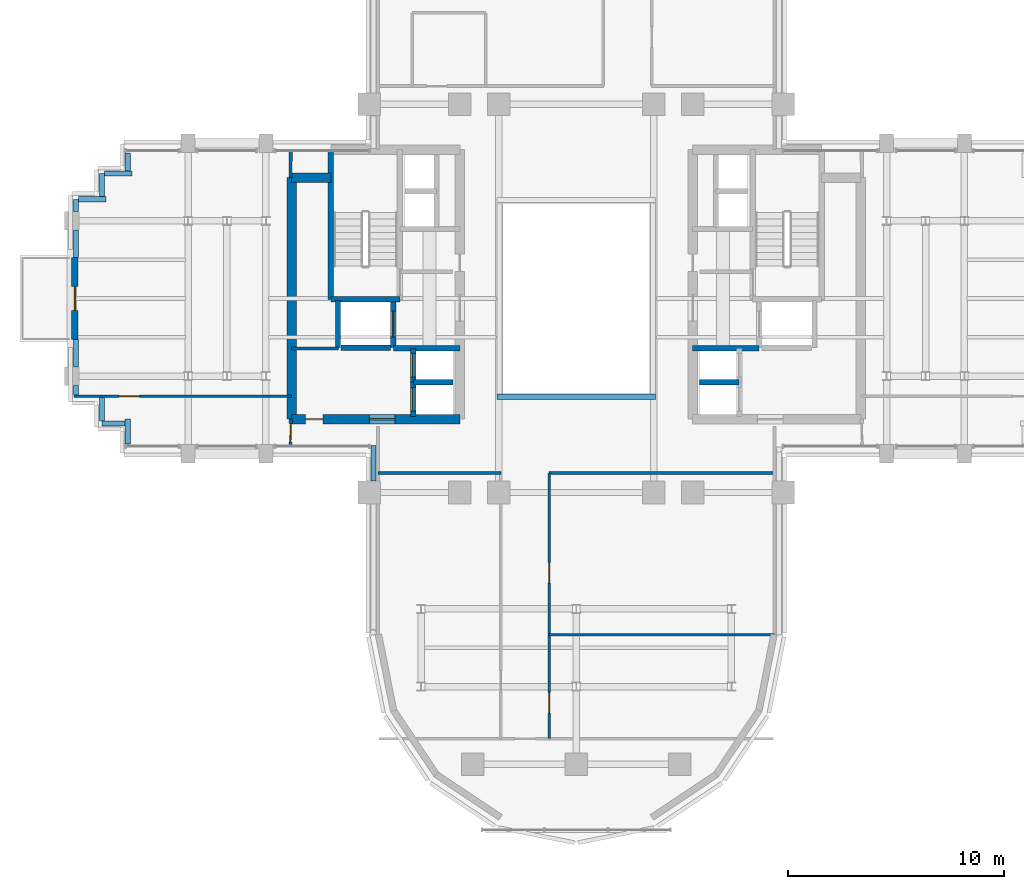
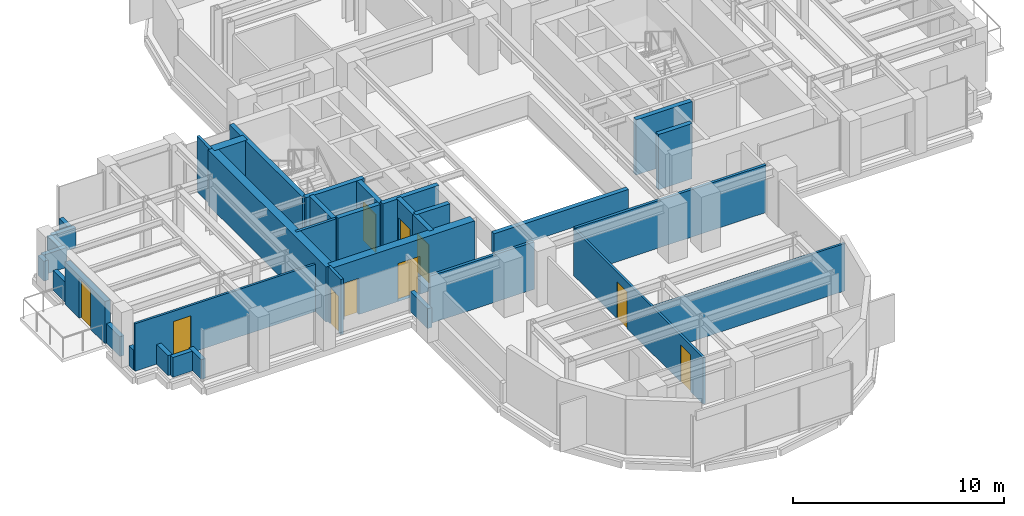
# One storey, part 8 of 13: 36 walls, 10 doors, 10 openings.
"""IFC4 building model written with IfcOpenShell, lengths in metres."""

from ifc_helpers import new_model, si_unit, direction, frame, frame_2d, origin, place, context, subcontext, project, spatial, rectangle, extrude, source, transform, mapped, material, layer, layer_set, type_object, element, fill, save


model = new_model("IFC4")

# Units and contexts
model_context = context("Model", 3, precision=1e-05, world=origin(), true_north=direction((0.0, 1.0)))
body_context = subcontext(model_context, "Body", "Model", "MODEL_VIEW")
ifc_project = project(units=[si_unit("LENGTHUNIT", "METRE"), si_unit("AREAUNIT", "SQUARE_METRE"), si_unit("VOLUMEUNIT", "CUBIC_METRE"), si_unit("PLANEANGLEUNIT", "RADIAN"), si_unit("MASSUNIT", "GRAM", prefix="KILO")], contexts=[model_context])

# Site, building, storey
site_placement = place(None, origin())
site = spatial("IfcSite", under=ifc_project, at=site_placement, CompositionType="ELEMENT")
building_placement = place(site_placement, origin())
building = spatial("IfcBuilding", under=site, at=building_placement, Name="Keilestroom Media Tower", CompositionType="ELEMENT")
storey_placement = place(building_placement, frame((0.0, 0.0, 100.60009765625)))
storey = spatial("IfcBuildingStorey", under=building, at=storey_placement, Name="L26", CompositionType="ELEMENT", Elevation=100.60009765625)

# Wall, opening, door
ifc_material_1 = material(Name="Precast concrete C40/50", Category="concrete")
ifc_layer_1 = layer(ifc_material_1, 0.300048828125)
ifc_layer_set_1 = layer_set([ifc_layer_1], Name="Precast concrete C40/50")
wall_type_1 = type_object("IfcWallType", Name="Exterior-Masonry-Spandrel-Wall-300", PredefinedType="SOLIDWALL", material=ifc_layer_set_1)
wall_1_placement = place(storey_placement, frame((-23.25, -1.89990234375, 0.0), z_axis=(0.0, 0.0, 1.0), x_axis=(0.0, 1.0, 0.0)))
wall_1 = element("IfcWall", 1, at=wall_1_placement, inside=storey, type_object=wall_type_1, Name="L26 Terrace Threshold Wall L26-W", PredefinedType="SOLIDWALL", context=body_context, shape_type="SweptSolid", body=[
    extrude(rectangle(XDim=3.7998046875, YDim=0.300048828125, at=frame_2d((1.89990234375, 0.0))), origin(), (0.0, 0.0, 1.0), 2.449951171875),
])
opening_1_placement = place(wall_1_placement, frame((1.35009765625, 0.0, 0.0)))
opening_1 = element("IfcOpeningElement", 2, at=opening_1_placement, cuts=wall_1, Name="Opening DE-02", PredefinedType="OPENING", context=body_context, shape_type="SweptSolid", body=[
    extrude(rectangle(XDim=1.10009765625, YDim=2.300048828125, at=frame_2d((0.550048828125, 1.14990234375))), frame((0.0, 0.16015625, 0.0), z_axis=(0.0, -1.0, 0.0), x_axis=(1.0, 0.0, 0.0)), (0.0, 0.0, 1.0), 0.320068359375),
])
ifc_material_2 = material(Name="Thermally Broken Aluminium & Laminated Glass", Category="aluminium")
door_type_1 = type_object("IfcDoorType", Name="Exterior-Entrance-And-Terrace-Door-DE-02", OperationType="NOTDEFINED", PredefinedType="DOOR", material=ifc_material_2)
shared_shape_1 = source(origin(), body_context, "Body", "SweptSolid", [
    extrude(rectangle(XDim=1.10009765625, YDim=2.300048828125, at=frame_2d((0.550048828125, 1.14990234375))), frame((0.0, 0.02490234375, 0.0), z_axis=(0.0, -1.0, 0.0), x_axis=(1.0, 0.0, 0.0)), (0.0, 0.0, 1.0), 0.050048828125),
])
door_1_placement = place(opening_1_placement, origin())
door_1 = element("IfcDoor", 3, at=door_1_placement, inside=storey, type_object=door_type_1, Name="L26 Terrace Access Door DE-02 L26-W", OperationType="SINGLE_SWING_LEFT", OverallHeight=2.300048828125, OverallWidth=1.10009765625, PredefinedType="DOOR", context=body_context, shape_type="MappedRepresentation", body=[
    mapped(shared_shape_1, transform((0.0, 0.0, 0.0), x_axis=(1.0, 0.0, 0.0), y_axis=(0.0, 1.0, 0.0), z_axis=(0.0, 0.0, 1.0), scale=1.0)),
])
fill(opening_1, door_1)

# Wall, openings, doors
ifc_material_3 = material(Name="Gypsum Plasterboard & Steel Stud", Category="steel")
ifc_layer_2 = layer(ifc_material_3, 0.1201171875)
ifc_layer_set_2 = layer_set([ifc_layer_2], Name="Gypsum Plasterboard & Steel Stud")
wall_type_2 = type_object("IfcWallType", Name="Interior-Partition-Wall-120", PredefinedType="PARTITIONING", material=ifc_layer_set_2)
wall_2_placement = place(storey_placement, frame((-1.260009765625, -20.419921875, 0.0), z_axis=(0.0, 0.0, 1.0), x_axis=(0.0, 1.0, 0.0)))
wall_2 = element("IfcWall", 4, at=wall_2_placement, inside=storey, type_object=wall_type_2, Name="L26 Interior Wall WP-L26-SL-SPE", PredefinedType="PARTITIONING", context=body_context, shape_type="SweptSolid", body=[
    extrude(rectangle(XDim=12.31982421875, YDim=0.1201171875, at=frame_2d((6.159912109375, 0.0))), origin(), (0.0, 0.0, 1.0), 2.699951171875),
])
opening_2_placement = place(wall_2_placement, frame((7.219970703125, 0.0, 0.0)))
opening_2 = element("IfcOpeningElement", 5, at=opening_2_placement, cuts=wall_2, Name="Opening DI-03", PredefinedType="OPENING", context=body_context, shape_type="SweptSolid", body=[
    extrude(rectangle(XDim=0.949951171875, YDim=2.14990234375, at=frame_2d((0.47509765625, 1.074951171875))), frame((0.0, 0.070068359375, 0.0), z_axis=(0.0, -1.0, 0.0), x_axis=(1.0, 0.0, 0.0)), (0.0, 0.0, 1.0), 0.14013671875),
])
opening_3_placement = place(wall_2_placement, frame((1.199951171875, 0.0, 0.0)))
opening_3 = element("IfcOpeningElement", 6, at=opening_3_placement, cuts=wall_2, Name="Opening DI-03", PredefinedType="OPENING", context=body_context, shape_type="SweptSolid", body=[
    extrude(rectangle(XDim=0.949951171875, YDim=2.14990234375, at=frame_2d((0.47509765625, 1.074951171875))), frame((0.0, 0.070068359375, 0.0), z_axis=(0.0, -1.0, 0.0), x_axis=(1.0, 0.0, 0.0)), (0.0, 0.0, 1.0), 0.14013671875),
])
ifc_material_4 = material(Name="Lacquered European Oak Leaf", Category="wood")
door_type_2 = type_object("IfcDoorType", Name="Interior-Room-And-Suite-Door-DI-03", OperationType="NOTDEFINED", PredefinedType="DOOR", material=ifc_material_4)
shared_shape_2 = source(origin(), body_context, "Body", "SweptSolid", [
    extrude(rectangle(XDim=0.949951171875, YDim=2.14990234375, at=frame_2d((0.47509765625, 1.074951171875))), frame((0.0, 0.02490234375, 0.0), z_axis=(0.0, -1.0, 0.0), x_axis=(1.0, 0.0, 0.0)), (0.0, 0.0, 1.0), 0.050048828125),
])
door_2_placement = place(opening_2_placement, origin())
door_2 = element("IfcDoor", 7, at=door_2_placement, inside=storey, type_object=door_type_2, Name="L26 Interior Door DI-L26-DSL-E1", OperationType="SINGLE_SWING_LEFT", OverallHeight=2.14990234375, OverallWidth=0.949951171875, PredefinedType="DOOR", context=body_context, shape_type="MappedRepresentation", body=[
    mapped(shared_shape_2, transform((0.0, 0.0, 0.0), x_axis=(1.0, 0.0, 0.0), y_axis=(0.0, 1.0, 0.0), z_axis=(0.0, 0.0, 1.0), scale=1.0)),
])
fill(opening_2, door_2)
door_3_placement = place(opening_3_placement, origin())
door_3 = element("IfcDoor", 8, at=door_3_placement, inside=storey, type_object=door_type_2, Name="L26 Interior Door DI-L26-DSL-E2", OperationType="SINGLE_SWING_RIGHT", OverallHeight=2.14990234375, OverallWidth=0.949951171875, PredefinedType="DOOR", context=body_context, shape_type="MappedRepresentation", body=[
    mapped(shared_shape_2, transform((0.0, 0.0, 0.0), x_axis=(1.0, 0.0, 0.0), y_axis=(0.0, 1.0, 0.0), z_axis=(0.0, 0.0, 1.0), scale=1.0)),
])
fill(opening_3, door_3)

# Wall
wall_3_placement = place(storey_placement, frame((-1.260009765625, -15.60009765625, 0.0), z_axis=(0.0, 0.0, 1.0), x_axis=(1.0, 0.0, 0.0)))
element("IfcWall", 9, at=wall_3_placement, inside=storey, type_object=wall_type_2, Name="L26 Interior Wall WP-L26-SL-HEM", PredefinedType="PARTITIONING", context=body_context, shape_type="SweptSolid", body=[
    extrude(rectangle(XDim=10.4599609375, YDim=0.1201171875, at=frame_2d((5.22998046875, 0.0))), origin(), (0.0, 0.0, 1.0), 2.75),
])

# Wall, opening, door
wall_4_placement = place(storey_placement, frame((-23.300048828125, -4.530029296875, 0.0), z_axis=(0.0, 0.0, 1.0), x_axis=(1.0, 0.0, 0.0)))
wall_4 = element("IfcWall", 10, at=wall_4_placement, inside=storey, type_object=wall_type_2, Name="L26 Interior Wall WP-L26-WA-CN", PredefinedType="PARTITIONING", context=body_context, shape_type="SweptSolid", body=[
    extrude(rectangle(XDim=10.10009765625, YDim=0.1201171875, at=frame_2d((5.050048828125, 0.0))), origin(), (0.0, 0.0, 1.0), 2.75),
])
opening_4_placement = place(wall_4_placement, frame((2.10009765625, 0.0, 0.0)))
opening_4 = element("IfcOpeningElement", 11, at=opening_4_placement, cuts=wall_4, Name="Opening DI-03", PredefinedType="OPENING", context=body_context, shape_type="SweptSolid", body=[
    extrude(rectangle(XDim=0.949951171875, YDim=2.14990234375, at=frame_2d((0.47509765625, 1.074951171875))), frame((0.0, 0.070068359375, 0.0), z_axis=(0.0, -1.0, 0.0), x_axis=(1.0, 0.0, 0.0)), (0.0, 0.0, 1.0), 0.14013671875),
])
door_4_placement = place(opening_4_placement, origin())
door_4 = element("IfcDoor", 12, at=door_4_placement, inside=storey, type_object=door_type_2, Name="L26 Interior Door DI-L26-DWA-RN", OperationType="SINGLE_SWING_RIGHT", OverallHeight=2.14990234375, OverallWidth=0.949951171875, PredefinedType="DOOR", context=body_context, shape_type="MappedRepresentation", body=[
    mapped(shared_shape_2, transform((0.0, 0.0, 0.0), x_axis=(1.0, 0.0, 0.0), y_axis=(0.0, 1.0, 0.0), z_axis=(0.0, 0.0, 1.0), scale=1.0)),
])
fill(opening_4, door_4)

# Walls
ifc_layer_3 = layer(ifc_material_3, 0.14990234375)
ifc_layer_set_3 = layer_set([ifc_layer_3], Name="Gypsum Plasterboard & Steel Stud")
wall_type_3 = type_object("IfcWallType", Name="Interior-Partition-Wall-150", PredefinedType="PARTITIONING", material=ifc_layer_set_3)
wall_5_placement = place(storey_placement, frame((-13.199951171875, -2.320068359375, 0.0), z_axis=(0.0, 0.0, 1.0), x_axis=(1.0, 0.0, 0.0)))
element("IfcWall", 13, at=wall_5_placement, inside=storey, type_object=wall_type_3, Name="L26 Interior Wall WP-L26-RECLW-N", PredefinedType="PARTITIONING", context=body_context, shape_type="SweptSolid", body=[
    extrude(rectangle(XDim=2.179931640625, YDim=0.14990234375, at=frame_2d((1.08984375, 0.0))), origin(), (0.0, 0.0, 1.0), 3.199951171875),
])
wall_6_placement = place(storey_placement, frame((-9.199951171875, -8.10009765625, 0.0), z_axis=(0.0, 0.0, 1.0), x_axis=(1.0, 0.0, 0.0)))
element("IfcWall", 14, at=wall_6_placement, inside=storey, type_object=wall_type_3, Name="L26 Interior Wall WP-L26-SL-BASE-W", PredefinedType="PARTITIONING", context=body_context, shape_type="SweptSolid", body=[
    extrude(rectangle(XDim=5.699951171875, YDim=0.14990234375, at=frame_2d((2.85009765625, 0.0))), origin(), (0.0, 0.0, 1.0), 2.75),
])
wall_7_placement = place(storey_placement, frame((-1.260009765625, -8.10009765625, 0.0), z_axis=(0.0, 0.0, 1.0), x_axis=(1.0, 0.0, 0.0)))
element("IfcWall", 15, at=wall_7_placement, inside=storey, type_object=wall_type_3, Name="L26 Interior Wall WP-L26-SL-BASE-E", PredefinedType="PARTITIONING", context=body_context, shape_type="SweptSolid", body=[
    extrude(rectangle(XDim=10.4599609375, YDim=0.14990234375, at=frame_2d((5.22998046875, 0.0))), origin(), (0.0, 0.0, 1.0), 2.75),
])
wall_8_placement = place(storey_placement, frame((-13.260009765625, 5.60009765625, 0.0), z_axis=(0.0, 0.0, 1.0), x_axis=(0.016013571389, 0.999871774545, 0.0)))
element("IfcWall", 16, at=wall_8_placement, inside=storey, type_object=wall_type_3, Name="L26 Interior Wall WP-L26-WA-ENTN", PredefinedType="PARTITIONING", context=body_context, shape_type="SweptSolid", body=[
    extrude(rectangle(XDim=1.250244140625, YDim=0.14990234375, at=frame_2d((0.625, 0.0))), origin(), (0.0, 0.0, 1.0), 3.199951171875),
])

# Wall, opening, door
wall_9_placement = place(storey_placement, frame((-13.260009765625, -6.85009765625, 0.0), z_axis=(0.0, 0.0, 1.0), x_axis=(0.016013571389, 0.999871774545, 0.0)))
wall_9 = element("IfcWall", 17, at=wall_9_placement, inside=storey, type_object=wall_type_3, Name="L26 Interior Wall WP-L26-WA-ENTS", PredefinedType="PARTITIONING", context=body_context, shape_type="SweptSolid", body=[
    extrude(rectangle(XDim=1.250244140625, YDim=0.14990234375, at=frame_2d((0.625, 0.0))), origin(), (0.0, 0.0, 1.0), 3.199951171875),
])
opening_5_placement = place(wall_9_placement, frame((0.199951171875, 0.0, 0.0)))
opening_5 = element("IfcOpeningElement", 18, at=opening_5_placement, cuts=wall_9, Name="Opening DI-05", PredefinedType="OPENING", context=body_context, shape_type="SweptSolid", body=[
    extrude(rectangle(XDim=0.85009765625, YDim=2.10009765625, at=frame_2d((0.425048828125, 1.050048828125))), frame((0.0, 0.0849609375, 0.0), z_axis=(0.0, -1.0, 0.0), x_axis=(1.0, 0.0, 0.0)), (0.0, 0.0, 1.0), 0.169921875),
])
ifc_material_5 = material(Name="Moisture-Resistant Oak Leaf", Category="wood")
door_type_3 = type_object("IfcDoorType", Name="Interior-En-Suite-And-Cupboard-Door-DI-05", OperationType="NOTDEFINED", PredefinedType="DOOR", material=ifc_material_5)
shared_shape_3 = source(origin(), body_context, "Body", "SweptSolid", [
    extrude(rectangle(XDim=0.85009765625, YDim=2.10009765625, at=frame_2d((0.425048828125, 1.050048828125))), frame((0.0, 0.02490234375, 0.0), z_axis=(0.0, -1.0, 0.0), x_axis=(1.0, 0.0, 0.0)), (0.0, 0.0, 1.0), 0.050048828125),
])
door_5_placement = place(opening_5_placement, origin())
door_5 = element("IfcDoor", 19, at=door_5_placement, inside=storey, type_object=door_type_3, Name="L26 Interior Door DI-L26-DWA-ENTS", OperationType="SINGLE_SWING_RIGHT", OverallHeight=2.10009765625, OverallWidth=0.85009765625, PredefinedType="DOOR", context=body_context, shape_type="MappedRepresentation", body=[
    mapped(shared_shape_3, transform((0.0, 0.0, 0.0), x_axis=(1.0, 0.0, 0.0), y_axis=(0.0, 1.0, 0.0), z_axis=(0.0, 0.0, 1.0), scale=1.0)),
])
fill(opening_5, door_5)

# Walls
ifc_material_6 = material(Name="Concrete C55/67", Category="concrete")
ifc_layer_4 = layer(ifc_material_6, 0.449951171875)
ifc_layer_set_4 = layer_set([ifc_layer_4], Name="Concrete C55/67")
wall_type_4 = type_object("IfcWallType", Name="Reinforced-Concrete-Core-Shear-Wall-450", PredefinedType="SHEAR", material=ifc_layer_set_4)
wall_10_placement = place(storey_placement, frame((-13.199951171875, -5.60009765625, 0.0), z_axis=(0.0, 0.0, 1.0), x_axis=(0.0, 1.0, 0.0)))
element("IfcWall", 20, at=wall_10_placement, inside=storey, type_object=wall_type_4, Name="L26 Core Shear Wall WL-L26-CORE-W-OUT", PredefinedType="SHEAR", context=body_context, shape_type="SweptSolid", body=[
    extrude(rectangle(XDim=11.2001953125, YDim=0.449951171875, at=frame_2d((5.60009765625, 0.0))), origin(), (0.0, 0.0, 1.0), 3.199951171875),
])
wall_11_placement = place(storey_placement, frame((-13.199951171875, 5.60009765625, 0.0), z_axis=(0.0, 0.0, 1.0), x_axis=(1.0, 0.0, 0.0)))
element("IfcWall", 21, at=wall_11_placement, inside=storey, type_object=wall_type_4, Name="L26 Core Shear Wall WL-L26-CNW-N", PredefinedType="SHEAR", context=body_context, shape_type="SweptSolid", body=[
    extrude(rectangle(XDim=1.81884765625, YDim=0.449951171875, at=frame_2d((0.909423828125, 0.0))), origin(), (0.0, 0.0, 1.0), 3.199951171875),
])

# Wall, openings, doors
wall_12_placement = place(storey_placement, frame((-13.199951171875, -5.60009765625, 0.0), z_axis=(0.0, 0.0, 1.0), x_axis=(1.0, 0.0, 0.0)))
wall_12 = element("IfcWall", 22, at=wall_12_placement, inside=storey, type_object=wall_type_4, Name="L26 Core Shear Wall WL-L26-CORE-W-S", PredefinedType="SHEAR", context=body_context, shape_type="SweptSolid", body=[
    extrude(rectangle(XDim=7.800048828125, YDim=0.449951171875, at=frame_2d((3.89990234375, 0.0))), origin(), (0.0, 0.0, 1.0), 3.199951171875),
])
opening_6_placement = place(wall_12_placement, frame((3.60009765625, 0.0, 0.0)))
opening_6 = element("IfcOpeningElement", 23, at=opening_6_placement, cuts=wall_12, Name="Opening DI-02", PredefinedType="OPENING", context=body_context, shape_type="SweptSolid", body=[
    extrude(rectangle(XDim=1.199951171875, YDim=2.199951171875, at=frame_2d((0.60009765625, 1.10009765625))), frame((0.0, 0.23486328125, 0.0), z_axis=(0.0, -1.0, 0.0), x_axis=(1.0, 0.0, 0.0)), (0.0, 0.0, 1.0), 0.469970703125),
])
opening_7_placement = place(wall_12_placement, frame((0.64990234375, 0.0, 0.0)))
opening_7 = element("IfcOpeningElement", 24, at=opening_7_placement, cuts=wall_12, Name="Opening DI-06", PredefinedType="OPENING", context=body_context, shape_type="SweptSolid", body=[
    extrude(rectangle(XDim=0.800048828125, YDim=2.10009765625, at=frame_2d((0.39990234375, 1.050048828125))), frame((0.0, 0.23486328125, 0.0), z_axis=(0.0, -1.0, 0.0), x_axis=(1.0, 0.0, 0.0)), (0.0, 0.0, 1.0), 0.469970703125),
])
ifc_material_7 = material(Name="Powder-Coated Steel Fire Leaf", Category="steel")
door_type_4 = type_object("IfcDoorType", Name="Interior-Compartment-Fire-Door-DI-02", OperationType="NOTDEFINED", PredefinedType="DOOR", material=ifc_material_7)
shared_shape_4 = source(origin(), body_context, "Body", "SweptSolid", [
    extrude(rectangle(XDim=1.199951171875, YDim=2.199951171875, at=frame_2d((0.60009765625, 1.10009765625))), frame((0.0, 0.02490234375, 0.0), z_axis=(0.0, -1.0, 0.0), x_axis=(1.0, 0.0, 0.0)), (0.0, 0.0, 1.0), 0.050048828125),
])
door_6_placement = place(opening_6_placement, origin())
door_6 = element("IfcDoor", 25, at=door_6_placement, inside=storey, type_object=door_type_4, Name="L26 W Passenger Lift Lobby Door", OperationType="SINGLE_SWING_LEFT", OverallHeight=2.199951171875, OverallWidth=1.199951171875, PredefinedType="DOOR", context=body_context, shape_type="MappedRepresentation", body=[
    mapped(shared_shape_4, transform((0.0, 0.0, 0.0), x_axis=(1.0, 0.0, 0.0), y_axis=(0.0, 1.0, 0.0), z_axis=(0.0, 0.0, 1.0), scale=1.0)),
])
fill(opening_6, door_6)
ifc_material_8 = material(Name="Powder-Coated Steel Service Leaf", Category="steel")
door_type_5 = type_object("IfcDoorType", Name="Interior-Riser-Access-Door-DI-06", OperationType="NOTDEFINED", PredefinedType="DOOR", material=ifc_material_8)
shared_shape_5 = source(origin(), body_context, "Body", "SweptSolid", [
    extrude(rectangle(XDim=0.800048828125, YDim=2.10009765625, at=frame_2d((0.39990234375, 1.050048828125))), frame((0.0, 0.02490234375, 0.0), z_axis=(0.0, -1.0, 0.0), x_axis=(1.0, 0.0, 0.0)), (0.0, 0.0, 1.0), 0.050048828125),
])
door_7_placement = place(opening_7_placement, origin())
door_7 = element("IfcDoor", 26, at=door_7_placement, inside=storey, type_object=door_type_5, Name="L26 Reclaimed West Core Room Door", OperationType="SINGLE_SWING_LEFT", OverallHeight=2.10009765625, OverallWidth=0.800048828125, PredefinedType="DOOR", context=body_context, shape_type="MappedRepresentation", body=[
    mapped(shared_shape_5, transform((0.0, 0.0, 0.0), x_axis=(1.0, 0.0, 0.0), y_axis=(0.0, 1.0, 0.0), z_axis=(0.0, 0.0, 1.0), scale=1.0)),
])
fill(opening_7, door_7)

# Walls
ifc_material_9 = material(Name="Concrete C50/60", Category="concrete")
ifc_layer_5 = layer(ifc_material_9, 0.25)
ifc_layer_set_5 = layer_set([ifc_layer_5], Name="Concrete C50/60")
wall_type_5 = type_object("IfcWallType", Name="Reinforced-Concrete-Shaft-Wall-250", PredefinedType="SOLIDWALL", material=ifc_layer_set_5)
wall_13_placement = place(storey_placement, frame((-8.47998046875, -2.300048828125, 0.0), z_axis=(0.0, 0.0, 1.0), x_axis=(1.0, 0.0, 0.0)))
element("IfcWall", 27, at=wall_13_placement, inside=storey, type_object=wall_type_5, Name="L26 Core Shear Wall WL-L26-CORE-W-FFS", PredefinedType="SOLIDWALL", context=body_context, shape_type="SweptSolid", body=[
    extrude(rectangle(XDim=3.080078125, YDim=0.25, at=frame_2d((1.5400390625, 0.0))), origin(), (0.0, 0.0, 1.0), 3.199951171875),
])
wall_14_placement = place(storey_placement, frame((-11.381103515625, -0.041015625, 0.0), z_axis=(0.0, 0.0, 1.0), x_axis=(0.0, 1.0, 0.0)))
element("IfcWall", 28, at=wall_14_placement, inside=storey, type_object=wall_type_5, Name="L26 Core Shear Wall WL-L26-STW-W-FAR", PredefinedType="SOLIDWALL", context=body_context, shape_type="SweptSolid", body=[
    extrude(rectangle(XDim=6.94091796875, YDim=0.25, at=frame_2d((3.470458984375, 0.0))), origin(), (0.0, 0.0, 1.0), 3.199951171875),
])
wall_15_placement = place(storey_placement, frame((-11.381103515625, -0.041015625, 0.0), z_axis=(0.0, 0.0, 1.0), x_axis=(1.0, 0.0, 0.0)))
element("IfcWall", 29, at=wall_15_placement, inside=storey, type_object=wall_type_5, Name="L26 Core Shear Wall WL-L26-STW-W-S", PredefinedType="SOLIDWALL", context=body_context, shape_type="SweptSolid", body=[
    extrude(rectangle(XDim=3.2021484375, YDim=0.25, at=frame_2d((1.60107421875, 0.0))), origin(), (0.0, 0.0, 1.0), 3.199951171875),
])
wall_16_placement = place(storey_placement, frame((5.39990234375, -2.300048828125, 0.0), z_axis=(0.0, 0.0, 1.0), x_axis=(1.0, 0.0, 0.0)))
element("IfcWall", 30, at=wall_16_placement, inside=storey, type_object=wall_type_5, Name="L26 Core Shear Wall WL-L26-CORE-E-FFS", PredefinedType="SOLIDWALL", context=body_context, shape_type="SweptSolid", body=[
    extrude(rectangle(XDim=3.080078125, YDim=0.25, at=frame_2d((1.5400390625, 0.0))), origin(), (0.0, 0.0, 1.0), 3.199951171875),
])
wall_17_placement = place(storey_placement, frame((-11.050048828125, -2.280029296875, 0.0), z_axis=(0.0, 0.0, 1.0), x_axis=(0.0, 1.0, 0.0)))
element("IfcWall", 31, at=wall_17_placement, inside=storey, type_object=wall_type_5, Name="L26 Core Shear Wall WL-L26-LSH-FFL-1-W", PredefinedType="SOLIDWALL", context=body_context, shape_type="SweptSolid", body=[
    extrude(rectangle(XDim=2.179931640625, YDim=0.25, at=frame_2d((1.08984375, 0.0))), origin(), (0.0, 0.0, 1.0), 3.199951171875),
])

# Wall, opening, door
wall_18_placement = place(storey_placement, frame((-8.47998046875, -2.280029296875, 0.0), z_axis=(0.0, 0.0, 1.0), x_axis=(0.0, 1.0, 0.0)))
wall_18 = element("IfcWall", 32, at=wall_18_placement, inside=storey, type_object=wall_type_5, Name="L26 Core Shear Wall WL-L26-LSH-FFL-1-E", PredefinedType="SOLIDWALL", context=body_context, shape_type="SweptSolid", body=[
    extrude(rectangle(XDim=2.179931640625, YDim=0.25, at=frame_2d((1.08984375, 0.0))), origin(), (0.0, 0.0, 1.0), 3.199951171875),
])
opening_8_placement = place(wall_18_placement, frame((0.489990234375, 0.0, 0.0)))
opening_8 = element("IfcOpeningElement", 33, at=opening_8_placement, cuts=wall_18, Name="Opening LD-02", PredefinedType="OPENING", context=body_context, shape_type="SweptSolid", body=[
    extrude(rectangle(XDim=1.199951171875, YDim=2.199951171875, at=frame_2d((0.60009765625, 1.10009765625))), frame((0.0, 0.135009765625, 0.0), z_axis=(0.0, -1.0, 0.0), x_axis=(1.0, 0.0, 0.0)), (0.0, 0.0, 1.0), 0.27001953125),
])
ifc_material_10 = material(Name="Brushed Stainless Steel Sliding Leaf", Category="steel")
door_type_6 = type_object("IfcDoorType", Name="Lift-Landing-Sliding-Door-LD-02", OperationType="SLIDING_TO_RIGHT", PredefinedType="DOOR", material=ifc_material_10)
door_8_placement = place(opening_8_placement, origin())
door_8 = element("IfcDoor", 34, at=door_8_placement, inside=storey, type_object=door_type_6, Name="L26 Lift FFL-1 Landing Sliding Door", OperationType="SLIDING_TO_RIGHT", OverallHeight=2.199951171875, OverallWidth=1.199951171875, PredefinedType="DOOR", context=body_context, shape_type="MappedRepresentation", body=[
    mapped(shared_shape_4, transform((0.0, 0.0, 0.0), x_axis=(1.0, 0.0, 0.0), y_axis=(0.0, 1.0, 0.0), z_axis=(0.0, 0.0, 1.0), scale=1.0)),
])
fill(opening_8, door_8)

# Wall
wall_19_placement = place(storey_placement, frame((-10.9208984375, -2.280029296875, 0.0), z_axis=(0.0, 0.0, 1.0), x_axis=(1.0, 0.0, 0.0)))
element("IfcWall", 35, at=wall_19_placement, inside=storey, type_object=wall_type_5, Name="L26 Core Shear Wall WL-L26-LSH-FFL-1-S", PredefinedType="SOLIDWALL", context=body_context, shape_type="SweptSolid", body=[
    extrude(rectangle(XDim=2.31201171875, YDim=0.25, at=frame_2d((1.156005859375, 0.0))), origin(), (0.0, 0.0, 1.0), 3.199951171875),
])

# Wall, opening, door
wall_20_placement = place(storey_placement, frame((-7.56005859375, -5.47998046875, 0.0), z_axis=(0.0, 0.0, 1.0), x_axis=(0.0, 1.0, 0.0)))
wall_20 = element("IfcWall", 36, at=wall_20_placement, inside=storey, type_object=wall_type_5, Name="L26 Core Shear Wall WL-L26-LSH-PL-M1-W", PredefinedType="SOLIDWALL", context=body_context, shape_type="SweptSolid", body=[
    extrude(rectangle(XDim=1.60009765625, YDim=0.25, at=frame_2d((0.800048828125, 0.0))), origin(), (0.0, 0.0, 1.0), 3.199951171875),
])
opening_9_placement = place(wall_20_placement, frame((0.25, 0.0, 0.0)))
opening_9 = element("IfcOpeningElement", 37, at=opening_9_placement, cuts=wall_20, Name="Opening LD-01", PredefinedType="OPENING", context=body_context, shape_type="SweptSolid", body=[
    extrude(rectangle(XDim=1.10009765625, YDim=2.199951171875, at=frame_2d((0.550048828125, 1.10009765625))), frame((0.0, 0.135009765625, 0.0), z_axis=(0.0, -1.0, 0.0), x_axis=(1.0, 0.0, 0.0)), (0.0, 0.0, 1.0), 0.27001953125),
])
door_type_7 = type_object("IfcDoorType", Name="Lift-Landing-Sliding-Door-LD-01", OperationType="SLIDING_TO_LEFT", PredefinedType="DOOR", material=ifc_material_10)
shared_shape_6 = source(origin(), body_context, "Body", "SweptSolid", [
    extrude(rectangle(XDim=1.10009765625, YDim=2.199951171875, at=frame_2d((0.550048828125, 1.10009765625))), frame((0.0, 0.02490234375, 0.0), z_axis=(0.0, -1.0, 0.0), x_axis=(1.0, 0.0, 0.0)), (0.0, 0.0, 1.0), 0.050048828125),
])
door_9_placement = place(opening_9_placement, origin())
door_9 = element("IfcDoor", 38, at=door_9_placement, inside=storey, type_object=door_type_7, Name="L26 Lift PL-M1 Landing Sliding Door", OperationType="SLIDING_TO_LEFT", OverallHeight=2.199951171875, OverallWidth=1.10009765625, PredefinedType="DOOR", context=body_context, shape_type="MappedRepresentation", body=[
    mapped(shared_shape_6, transform((0.0, 0.0, 0.0), x_axis=(1.0, 0.0, 0.0), y_axis=(0.0, 1.0, 0.0), z_axis=(0.0, 0.0, 1.0), scale=1.0)),
])
fill(opening_9, door_9)

# Wall
wall_21_placement = place(storey_placement, frame((-7.56005859375, -3.8798828125, 0.0), z_axis=(0.0, 0.0, 1.0), x_axis=(1.0, 0.0, 0.0)))
element("IfcWall", 39, at=wall_21_placement, inside=storey, type_object=wall_type_5, Name="L26 Core Shear Wall WL-L26-LSH-PL-M1-N", PredefinedType="SOLIDWALL", context=body_context, shape_type="SweptSolid", body=[
    extrude(rectangle(XDim=1.840087890625, YDim=0.25, at=frame_2d((0.919921875, 0.0))), origin(), (0.0, 0.0, 1.0), 3.199951171875),
])

# Wall, opening, door
wall_22_placement = place(storey_placement, frame((-7.56005859375, -3.8798828125, 0.0), z_axis=(0.0, 0.0, 1.0), x_axis=(0.0, 1.0, 0.0)))
wall_22 = element("IfcWall", 40, at=wall_22_placement, inside=storey, type_object=wall_type_5, Name="L26 Core Shear Wall WL-L26-LSH-PL-M2-W", PredefinedType="SOLIDWALL", context=body_context, shape_type="SweptSolid", body=[
    extrude(rectangle(XDim=1.559814453125, YDim=0.25, at=frame_2d((0.77978515625, 0.0))), origin(), (0.0, 0.0, 1.0), 3.199951171875),
])
opening_10_placement = place(wall_22_placement, frame((0.22998046875, 0.0, 0.0)))
opening_10 = element("IfcOpeningElement", 41, at=opening_10_placement, cuts=wall_22, Name="Opening LD-01", PredefinedType="OPENING", context=body_context, shape_type="SweptSolid", body=[
    extrude(rectangle(XDim=1.10009765625, YDim=2.199951171875, at=frame_2d((0.550048828125, 1.10009765625))), frame((0.0, 0.135009765625, 0.0), z_axis=(0.0, -1.0, 0.0), x_axis=(1.0, 0.0, 0.0)), (0.0, 0.0, 1.0), 0.27001953125),
])
door_10_placement = place(opening_10_placement, origin())
door_10 = element("IfcDoor", 42, at=door_10_placement, inside=storey, type_object=door_type_7, Name="L26 Lift PL-M2 Landing Sliding Door", OperationType="SLIDING_TO_LEFT", OverallHeight=2.199951171875, OverallWidth=1.10009765625, PredefinedType="DOOR", context=body_context, shape_type="MappedRepresentation", body=[
    mapped(shared_shape_6, transform((0.0, 0.0, 0.0), x_axis=(1.0, 0.0, 0.0), y_axis=(0.0, 1.0, 0.0), z_axis=(0.0, 0.0, 1.0), scale=1.0)),
])
fill(opening_10, door_10)

# Walls
wall_23_placement = place(storey_placement, frame((5.719970703125, -3.8798828125, 0.0), z_axis=(0.0, 0.0, 1.0), x_axis=(1.0, 0.0, 0.0)))
element("IfcWall", 43, at=wall_23_placement, inside=storey, type_object=wall_type_5, Name="L26 Core Shear Wall WL-L26-LSH-PL-M3-N", PredefinedType="SOLIDWALL", context=body_context, shape_type="SweptSolid", body=[
    extrude(rectangle(XDim=1.840087890625, YDim=0.25, at=frame_2d((0.919921875, 0.0))), origin(), (0.0, 0.0, 1.0), 3.199951171875),
])
ifc_layer_6 = layer(ifc_material_1, 0.239990234375)
ifc_layer_set_6 = layer_set([ifc_layer_6], Name="Precast concrete C40/50")
wall_type_6 = type_object("IfcWallType", Name="Roof-And-Terrace-Parapet-Wall-240", PredefinedType="PARAPET", material=ifc_layer_set_6)
wall_24_placement = place(storey_placement, frame((-9.39990234375, -8.471923828125, 0.0), z_axis=(0.0, 0.0, 1.0), x_axis=(0.0, 1.0, 0.0)))
element("IfcWall", 44, at=wall_24_placement, inside=storey, type_object=wall_type_6, Name="L26 Perimeter Edge Parapet Wall 09", PredefinedType="PARAPET", context=body_context, shape_type="SweptSolid", body=[
    extrude(rectangle(XDim=1.653076171875, YDim=0.239990234375, at=frame_2d((0.82666015625, 0.0))), origin(), (0.0, 0.0, 1.0), 1.14990234375),
])
wall_25_placement = place(storey_placement, frame((-20.800048828125, -6.757080078125, 0.0), z_axis=(0.0, 0.0, 1.0), x_axis=(0.0, 1.0, 0.0)))
element("IfcWall", 45, at=wall_25_placement, inside=storey, type_object=wall_type_6, Name="L26 Perimeter Edge Parapet Wall 10", PredefinedType="PARAPET", context=body_context, shape_type="SweptSolid", body=[
    extrude(rectangle(XDim=1.156982421875, YDim=0.239990234375, at=frame_2d((0.57861328125, 0.0))), origin(), (0.0, 0.0, 1.0), 1.14990234375),
])
wall_26_placement = place(storey_placement, frame((-20.923095703125, -5.800048828125, 0.0), z_axis=(0.0, 0.0, 1.0), x_axis=(-1.0, 0.0, 0.0)))
element("IfcWall", 46, at=wall_26_placement, inside=storey, type_object=wall_type_6, Name="L26 Perimeter Edge Parapet Wall 11", PredefinedType="PARAPET", context=body_context, shape_type="SweptSolid", body=[
    extrude(rectangle(XDim=1.076904296875, YDim=0.239990234375, at=frame_2d((0.53857421875, 0.0))), origin(), (0.0, 0.0, 1.0), 1.14990234375),
])
wall_27_placement = place(storey_placement, frame((-22.0, -5.677001953125, 0.0), z_axis=(0.0, 0.0, 1.0), x_axis=(0.0, 1.0, 0.0)))
element("IfcWall", 47, at=wall_27_placement, inside=storey, type_object=wall_type_6, Name="L26 Perimeter Edge Parapet Wall 12", PredefinedType="PARAPET", context=body_context, shape_type="SweptSolid", body=[
    extrude(rectangle(XDim=1.083984375, YDim=0.239990234375, at=frame_2d((0.5419921875, 0.0))), origin(), (0.0, 0.0, 1.0), 1.14990234375),
])
wall_28_placement = place(storey_placement, frame((-23.199951171875, -4.467041015625, 0.0), z_axis=(0.0, 0.0, 1.0), x_axis=(0.0, 1.0, 0.0)))
element("IfcWall", 48, at=wall_28_placement, inside=storey, type_object=wall_type_6, Name="L26 Perimeter Edge Parapet Wall 13", PredefinedType="PARAPET", context=body_context, shape_type="SweptSolid", body=[
    extrude(rectangle(XDim=0.43896484375, YDim=0.239990234375, at=frame_2d((0.219482421875, 0.0))), origin(), (0.0, 0.0, 1.0), 1.14990234375),
])
for number, where, z_axis, x_axis, name in (
    (49, (-23.199951171875, -3.172119140625, 0.0), (0.0, 0.0, 1.0), (0.0, 1.0, 0.0), "L26 Perimeter Edge Parapet Wall 14"),
    (50, (-23.199951171875, 1.903076171875, 0.0), (0.0, 0.0, 1.0), (0.0, 1.0, 0.0), "L26 Perimeter Edge Parapet Wall 15"),
):
    element("IfcWall", number, at=place(storey_placement, frame(where, z_axis=z_axis, x_axis=x_axis)), inside=storey, type_object=wall_type_6, Name=name, PredefinedType="PARAPET", context=body_context, shape_type="SweptSolid", body=[
        extrude(rectangle(XDim=1.26904296875, YDim=0.239990234375, at=frame_2d((0.634521484375, 0.0))), origin(), (0.0, 0.0, 1.0), 1.14990234375),
    ])
wall_29_placement = place(storey_placement, frame((-23.199951171875, 4.028076171875, 0.0), z_axis=(0.0, 0.0, 1.0), x_axis=(0.0, 1.0, 0.0)))
element("IfcWall", 51, at=wall_29_placement, inside=storey, type_object=wall_type_6, Name="L26 Perimeter Edge Parapet Wall 16", PredefinedType="PARAPET", context=body_context, shape_type="SweptSolid", body=[
    extrude(rectangle(XDim=0.572021484375, YDim=0.239990234375, at=frame_2d((0.2861328125, 0.0))), origin(), (0.0, 0.0, 1.0), 1.14990234375),
])
wall_30_placement = place(storey_placement, frame((-23.076904296875, 4.60009765625, 0.0), z_axis=(0.0, 0.0, 1.0), x_axis=(1.0, 0.0, 0.0)))
element("IfcWall", 52, at=wall_30_placement, inside=storey, type_object=wall_type_6, Name="L26 Perimeter Edge Parapet Wall 17", PredefinedType="PARAPET", context=body_context, shape_type="SweptSolid", body=[
    extrude(rectangle(XDim=1.27685546875, YDim=0.239990234375, at=frame_2d((0.638427734375, 0.0))), origin(), (0.0, 0.0, 1.0), 1.14990234375),
])
wall_31_placement = place(storey_placement, frame((-22.0, 4.722900390625, 0.0), z_axis=(0.0, 0.0, 1.0), x_axis=(0.0, 1.0, 0.0)))
element("IfcWall", 53, at=wall_31_placement, inside=storey, type_object=wall_type_6, Name="L26 Perimeter Edge Parapet Wall 18", PredefinedType="PARAPET", context=body_context, shape_type="SweptSolid", body=[
    extrude(rectangle(XDim=1.0771484375, YDim=0.239990234375, at=frame_2d((0.53857421875, 0.0))), origin(), (0.0, 0.0, 1.0), 1.14990234375),
])
wall_32_placement = place(storey_placement, frame((-21.876953125, 5.800048828125, 0.0), z_axis=(0.0, 0.0, 1.0), x_axis=(1.0, 0.0, 0.0)))
element("IfcWall", 54, at=wall_32_placement, inside=storey, type_object=wall_type_6, Name="L26 Perimeter Edge Parapet Wall 19", PredefinedType="PARAPET", context=body_context, shape_type="SweptSolid", body=[
    extrude(rectangle(XDim=1.27685546875, YDim=0.239990234375, at=frame_2d((0.638427734375, 0.0))), origin(), (0.0, 0.0, 1.0), 1.14990234375),
])
wall_33_placement = place(storey_placement, frame((-20.800048828125, 5.923095703125, 0.0), z_axis=(0.0, 0.0, 1.0), x_axis=(0.0, 1.0, 0.0)))
element("IfcWall", 55, at=wall_33_placement, inside=storey, type_object=wall_type_6, Name="L26 Perimeter Edge Parapet Wall 20", PredefinedType="PARAPET", context=body_context, shape_type="SweptSolid", body=[
    extrude(rectangle(XDim=0.833984375, YDim=0.239990234375, at=frame_2d((0.4169921875, 0.0))), origin(), (0.0, 0.0, 1.0), 1.14990234375),
])
wall_34_placement = place(storey_placement, frame((-3.679931640625, -4.56005859375, 0.0), z_axis=(0.0, 0.0, 1.0), x_axis=(1.0, 0.0, 0.0)))
element("IfcWall", 56, at=wall_34_placement, inside=storey, type_object=wall_type_6, Name="L26 Central Atrium Guard Parapet S", PredefinedType="PARAPET", context=body_context, shape_type="SweptSolid", body=[
    extrude(rectangle(XDim=7.35986328125, YDim=0.239990234375, at=frame_2d((3.679931640625, 0.0))), origin(), (0.0, 0.0, 1.0), 1.14990234375),
])

save(model, "model.ifc")
